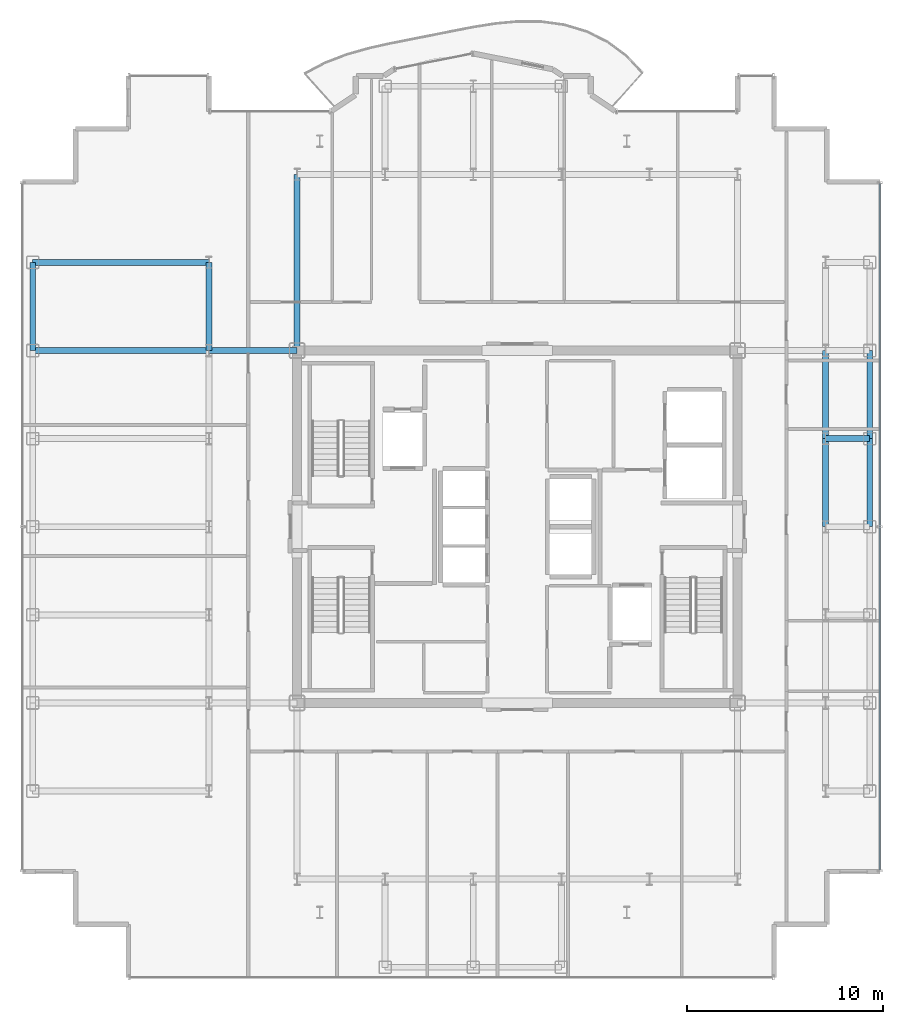
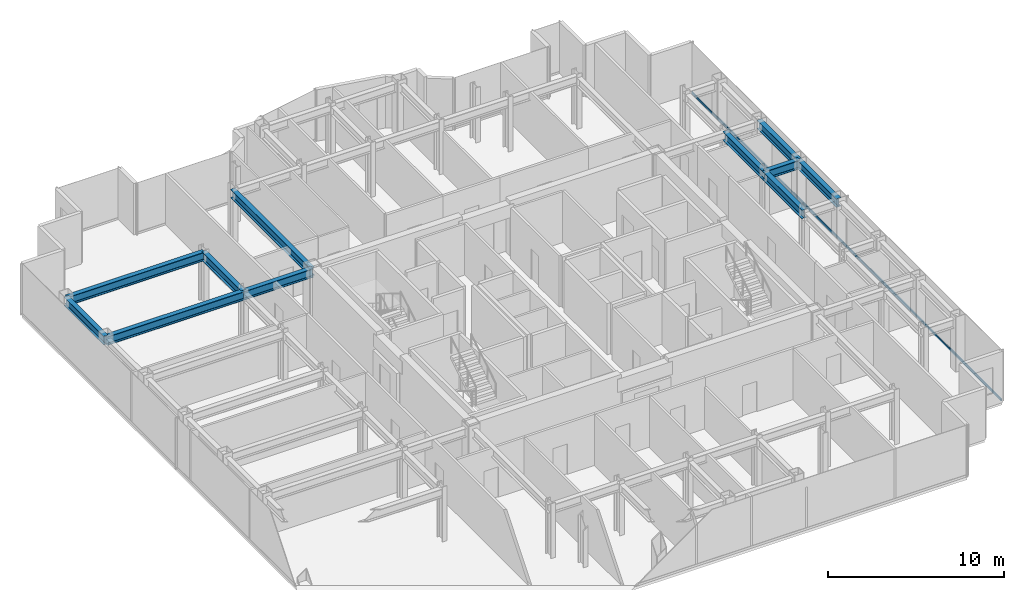
# One storey, part 8 of 18: 11 beams, 1 member, 1 element without a shape of its own.
"""IFC4 building model written with IfcOpenShell, lengths in metres."""

from ifc_helpers import new_model, si_unit, direction, frame, origin, origin_2d, place, context, subcontext, project, spatial, hollow_rectangle, i_section, extrude, source, transform, mapped, material, layer, layer_set, material_profile, profile_set, type_object, element, aggregate, save


model = new_model("IFC4")

# Units and contexts
model_context = context("Model", 3, precision=1e-05, world=origin(), true_north=direction((0.0, 1.0)))
body_context = subcontext(model_context, "Body", "Model", "MODEL_VIEW")
ifc_project = project(units=[si_unit("LENGTHUNIT", "METRE"), si_unit("AREAUNIT", "SQUARE_METRE"), si_unit("VOLUMEUNIT", "CUBIC_METRE"), si_unit("PLANEANGLEUNIT", "RADIAN"), si_unit("MASSUNIT", "GRAM", prefix="KILO")], contexts=[model_context])

# Site, building, storey
site_placement = place(None, origin())
site = spatial("IfcSite", under=ifc_project, at=site_placement, CompositionType="ELEMENT")
building_placement = place(site_placement, origin())
building = spatial("IfcBuilding", under=site, at=building_placement, Name="Nefas-Gora Pilgrimage Tower", CompositionType="ELEMENT")
storey_placement = place(building_placement, frame((0.0, 0.0, 272.199951171875)))
storey = spatial("IfcBuildingStorey", under=building, at=storey_placement, Name="L68", CompositionType="ELEMENT", Elevation=272.199951171875)

# Beams
ifc_material_1 = material(Name="Steel S355", Category="steel")
ifc_material_profile_1 = material_profile(ifc_material_1, i_section(OverallWidth=0.300048828125, OverallDepth=0.60009765625, WebThickness=0.015380859375, FlangeThickness=0.030029296875, FilletRadius=0.027099609375, at=origin_2d()), Name="HEB 600")
ifc_profile_set_1 = profile_set([ifc_material_profile_1], Name="Steel S355")
beam_type_1 = type_object("IfcBeamType", Name="BM-SPN-HEB450", PredefinedType="SPANDREL", material=ifc_profile_set_1)
shared_shape_1 = source(origin(), body_context, "Body", "SweptSolid", [
    extrude(i_section(OverallWidth=0.300048828125, OverallDepth=0.60009765625, WebThickness=0.015380859375, FlangeThickness=0.030029296875, FilletRadius=0.027099609375, at=origin_2d()), origin(), (0.0, 0.0, 1.0), 4.5),
])
for number, where, z_axis, x_axis, name in (
    (1, (-24.75, 9.0, 3.25), (0.0, 1.0, 0.0), (-1.0, 0.0, 0.0), "L68 SP-03 beam"),
    (2, (18.0, 0.0, 3.25), (0.0, 1.0, 0.0), (-1.0, 0.0, 0.0), "L68 SP-03 beam"),
    (3, (18.0, 4.5, 3.25), (0.0, 1.0, 0.0), (-1.0, 0.0, 0.0), "L68 SP-03 beam"),
):
    element("IfcBeam", number, at=place(storey_placement, frame(where, z_axis=z_axis, x_axis=x_axis)), inside=storey, type_object=beam_type_1, Name=name, PredefinedType="SPANDREL", context=body_context, shape_type="MappedRepresentation", body=[
        mapped(shared_shape_1, transform((0.0, 0.0, 0.0), x_axis=(1.0, 0.0, 0.0), y_axis=(0.0, 1.0, 0.0), z_axis=(0.0, 0.0, 1.0), scale=1.0)),
    ])
ifc_material_profile_2 = material_profile(ifc_material_1, i_section(OverallWidth=0.300048828125, OverallDepth=0.60009765625, WebThickness=0.015380859375, FlangeThickness=0.030029296875, FilletRadius=0.027099609375, at=origin_2d()), Name="HEB 600")
ifc_profile_set_2 = profile_set([ifc_material_profile_2], Name="Steel S355")
beam_type_2 = type_object("IfcBeamType", Name="BM-GIR-HEB600", PredefinedType="BEAM", material=ifc_profile_set_2)
shared_shape_2 = source(origin(), body_context, "Body", "SweptSolid", [
    extrude(i_section(OverallWidth=0.300048828125, OverallDepth=0.60009765625, WebThickness=0.015380859375, FlangeThickness=0.030029296875, FilletRadius=0.027099609375, at=origin_2d()), origin(), (0.0, 0.0, 1.0), 9.0),
])
for number, where, z_axis, x_axis, name in (
    (4, (-24.75, 9.0, 3.25), (1.0, 0.0, 0.0), (0.0, 1.0, 0.0), "L68 G-04 beam"),
    (5, (-24.75, 13.5, 3.25), (1.0, 0.0, 0.0), (0.0, 1.0, 0.0), "L68 G-04 beam"),
    (6, (-11.25, 9.0, 3.25), (0.0, 1.0, 0.0), (-1.0, 0.0, 0.0), "L68 G-04 beam"),
):
    element("IfcBeam", number, at=place(storey_placement, frame(where, z_axis=z_axis, x_axis=x_axis)), inside=storey, type_object=beam_type_2, Name=name, PredefinedType="BEAM", context=body_context, shape_type="MappedRepresentation", body=[
        mapped(shared_shape_2, transform((0.0, 0.0, 0.0), x_axis=(1.0, 0.0, 0.0), y_axis=(0.0, 1.0, 0.0), z_axis=(0.0, 0.0, 1.0), scale=1.0)),
    ])
shared_shape_3 = source(origin(), body_context, "Body", "SweptSolid", [
    extrude(i_section(OverallWidth=0.300048828125, OverallDepth=0.60009765625, WebThickness=0.015380859375, FlangeThickness=0.030029296875, FilletRadius=0.027099609375, at=origin_2d()), origin(), (0.0, 0.0, 1.0), 4.5),
])
for number, where, z_axis, x_axis, name in (
    (7, (-15.75, 9.0, 3.25), (0.0, 1.0, 0.0), (-1.0, 0.0, 0.0), "L68 G-04 beam"),
    (8, (-15.75, 9.0, 3.25), (1.0, 0.0, 0.0), (0.0, 1.0, 0.0), "L68 G-04 beam"),
    (9, (15.75, 0.0, 3.25), (0.0, 1.0, 0.0), (-1.0, 0.0, 0.0), "L68 G-04 beam"),
    (10, (15.75, 4.5, 3.25), (0.0, 1.0, 0.0), (-1.0, 0.0, 0.0), "L68 G-04 beam"),
):
    element("IfcBeam", number, at=place(storey_placement, frame(where, z_axis=z_axis, x_axis=x_axis)), inside=storey, type_object=beam_type_2, Name=name, PredefinedType="BEAM", context=body_context, shape_type="MappedRepresentation", body=[
        mapped(shared_shape_3, transform((0.0, 0.0, 0.0), x_axis=(1.0, 0.0, 0.0), y_axis=(0.0, 1.0, 0.0), z_axis=(0.0, 0.0, 1.0), scale=1.0)),
    ])
shared_shape_4 = source(origin(), body_context, "Body", "SweptSolid", [
    extrude(i_section(OverallWidth=0.300048828125, OverallDepth=0.60009765625, WebThickness=0.015380859375, FlangeThickness=0.030029296875, FilletRadius=0.027099609375, at=origin_2d()), origin(), (0.0, 0.0, 1.0), 2.25),
])
beam_placement = place(storey_placement, frame((15.75, 4.5, 3.25), z_axis=(1.0, 0.0, 0.0), x_axis=(0.0, 1.0, 0.0)))
element("IfcBeam", 11, at=beam_placement, inside=storey, type_object=beam_type_2, Name="L68 G-04 beam", PredefinedType="BEAM", context=body_context, shape_type="MappedRepresentation", body=[
    mapped(shared_shape_4, transform((0.0, 0.0, 0.0), x_axis=(1.0, 0.0, 0.0), y_axis=(0.0, 1.0, 0.0), z_axis=(0.0, 0.0, 1.0), scale=1.0)),
])

# Curtain wall, member
ifc_material_2 = material(Name="Dark ceramic-fritted solar-control aluminium-glass curtain wall", Category="aluminium")
ifc_layer = layer(ifc_material_2, 0.219970703125)
ifc_layer_set = layer_set([ifc_layer], Name="Dark ceramic-fritted solar-control aluminium-glass curtain wall")
curtain_wall_type = type_object("IfcCurtainWallType", Name="CW-SYS-4", PredefinedType="NOTDEFINED", material=ifc_layer_set)
curtain_wall_placement = place(storey_placement, origin())
curtain_wall = element("IfcCurtainWall", 12, at=curtain_wall_placement, inside=storey, type_object=curtain_wall_type, Name="L68 Unitised Curtain Wall CW4", PredefinedType="NOTDEFINED")
ifc_material_3 = material(Name="Anodised architectural aluminium", Category="aluminium")
ifc_material_profile_3 = material_profile(ifc_material_3, hollow_rectangle(XDim=0.080078125, YDim=0.159912109375, WallThickness=0.00439453125, InnerFilletRadius=0.00439453125, OuterFilletRadius=0.009033203125, at=origin_2d()), Name="ALU TRANSOM 80x160")
ifc_profile_set_3 = profile_set([ifc_material_profile_3], Name="Anodised architectural aluminium")
member_type = type_object("IfcMemberType", Name="CWM-TRN-4", PredefinedType="USERDEFINED", material=ifc_profile_set_3)
shared_shape_5 = source(origin(), body_context, "Body", "SweptSolid", [
    extrude(hollow_rectangle(XDim=0.080078125, YDim=0.159912109375, WallThickness=0.00439453125, InnerFilletRadius=0.00439453125, OuterFilletRadius=0.009033203125, at=origin_2d()), origin(), (0.0, 0.0, 1.0), 35.06005859375),
])
member_placement = place(storey_placement, frame((18.52001953125, -17.530029296875, 0.050048828125), z_axis=(0.0, 1.0, 0.0), x_axis=(-1.0, 0.0, 0.0)))
member = element("IfcMember", 13, at=member_placement, type_object=member_type, Name="CW4 Spandrel Transom", ObjectType="TRANSOM", PredefinedType="USERDEFINED", context=body_context, shape_type="MappedRepresentation", body=[
    mapped(shared_shape_5, transform((0.0, 0.0, 0.0), x_axis=(1.0, 0.0, 0.0), y_axis=(0.0, 1.0, 0.0), z_axis=(0.0, 0.0, 1.0), scale=1.0)),
])
aggregate(curtain_wall, [member])

save(model, "model.ifc")
